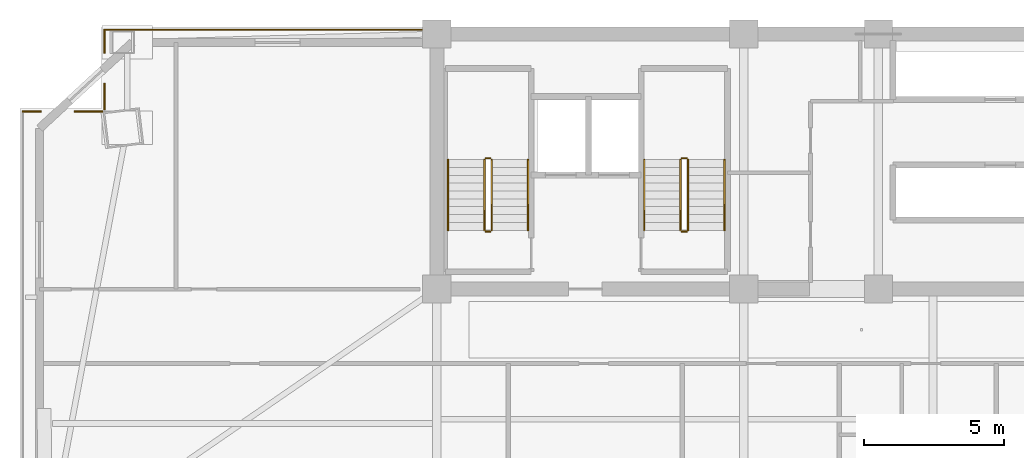
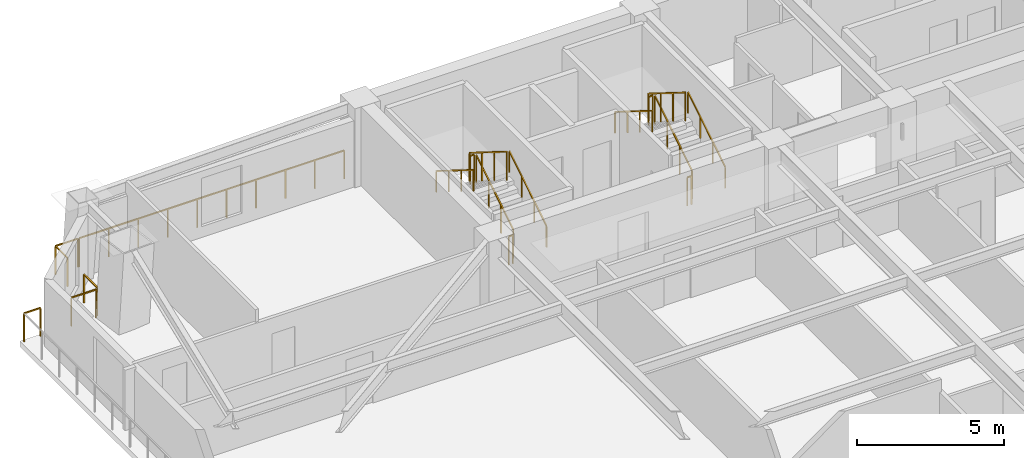
# One storey, part 15 of 16: 18 railings.
"""IFC4 building model written with IfcOpenShell, lengths in metres."""

from ifc_helpers import new_model, si_unit, direction, frame, origin, origin_2d, place, context, subcontext, project, spatial, rectangle, extrude, material, type_object, element, save


model = new_model("IFC4")

# Units and contexts
model_context = context("Model", 3, precision=1e-05, world=origin(), true_north=direction((0.0, 1.0)))
body_context = subcontext(model_context, "Body", "Model", "MODEL_VIEW")
ifc_project = project(units=[si_unit("LENGTHUNIT", "METRE"), si_unit("AREAUNIT", "SQUARE_METRE"), si_unit("VOLUMEUNIT", "CUBIC_METRE"), si_unit("PLANEANGLEUNIT", "RADIAN"), si_unit("MASSUNIT", "GRAM", prefix="KILO")], contexts=[model_context])

# Site, building, storey
site_placement = place(None, origin())
site = spatial("IfcSite", under=ifc_project, at=site_placement, CompositionType="ELEMENT")
building_placement = place(site_placement, origin())
building = spatial("IfcBuilding", under=site, at=building_placement, Name="Giltprow Tower", CompositionType="ELEMENT")
storey_placement = place(building_placement, frame((0.0, 0.0, 166.699951171875)))
storey = spatial("IfcBuildingStorey", under=building, at=storey_placement, Name="L41", CompositionType="ELEMENT", Elevation=166.699951171875)

# Railings
ifc_material = material(Name="Anodized bronze", Category="metal")
railing_type_1 = type_object("IfcRailingType", Name="RAIL-BALC-GUARD-1200", PredefinedType="BALUSTRADE", material=ifc_material)
railing_1_placement = place(storey_placement, frame((5.083984375, 43.787109375, 0.0)))
element("IfcRailing", 1, at=railing_1_placement, inside=storey, type_object=railing_type_1, Name="L41 Corner Apron Edge Balustrade 6", PredefinedType="BALUSTRADE", context=body_context, shape_type="SweptSolid", body=[
    extrude(rectangle(XDim=0.048095703125, YDim=0.048095703125, at=origin_2d()), frame((0.0, 0.0, 1.17578125), z_axis=(1.0, 0.0, 0.0), x_axis=(0.0, 1.0, 0.0)), (0.0, 0.0, 1.0), 0.64501953125),
    extrude(rectangle(XDim=0.0419921875, YDim=0.0419921875, at=origin_2d()), origin(), (0.0, 0.0, 1.0), 1.15185546875),
    extrude(rectangle(XDim=0.0419921875, YDim=0.0419921875, at=origin_2d()), frame((0.64501953125, 0.0, 0.0)), (0.0, 0.0, 1.0), 1.15185546875),
])
railing_2_placement = place(storey_placement, frame((6.93701171875, 43.787109375, 0.0)))
element("IfcRailing", 2, at=railing_2_placement, inside=storey, type_object=railing_type_1, Name="L41 Corner Apron Edge Balustrade 7", PredefinedType="BALUSTRADE", context=body_context, shape_type="SweptSolid", body=[
    extrude(rectangle(XDim=0.048095703125, YDim=0.048095703125, at=origin_2d()), frame((0.0, 0.0, 1.17578125), z_axis=(1.0, 0.0, 0.0), x_axis=(0.0, 1.0, 0.0)), (0.0, 0.0, 1.0), 0.97509765625),
    extrude(rectangle(XDim=0.0419921875, YDim=0.0419921875, at=origin_2d()), origin(), (0.0, 0.0, 1.0), 1.15185546875),
    extrude(rectangle(XDim=0.0419921875, YDim=0.0419921875, at=origin_2d()), frame((0.97509765625, 0.0, 0.0)), (0.0, 0.0, 1.0), 1.15185546875),
])
railing_3_placement = place(storey_placement, frame((7.9970703125, 43.8720703125, 0.0)))
element("IfcRailing", 3, at=railing_3_placement, inside=storey, type_object=railing_type_1, Name="L41 Corner Apron Edge Balustrade 8", PredefinedType="BALUSTRADE", context=body_context, shape_type="SweptSolid", body=[
    extrude(rectangle(XDim=0.048095703125, YDim=0.048095703125, at=origin_2d()), frame((0.0, 0.0, 1.17578125), z_axis=(0.0, 1.0, 0.0), x_axis=(-1.0, 0.0, 0.0)), (0.0, 0.0, 1.0), 0.89501953125),
    extrude(rectangle(XDim=0.0419921875, YDim=0.0419921875, at=origin_2d()), origin(), (0.0, 0.0, 1.0), 1.15185546875),
    extrude(rectangle(XDim=0.0419921875, YDim=0.0419921875, at=origin_2d()), frame((0.0, 0.89501953125, 0.0)), (0.0, 0.0, 1.0), 1.15185546875),
])
railing_4_placement = place(storey_placement, frame((7.9970703125, 45.884033203125, 0.0)))
element("IfcRailing", 4, at=railing_4_placement, inside=storey, type_object=railing_type_1, Name="L41 Corner Apron Edge Balustrade 9", PredefinedType="BALUSTRADE", context=body_context, shape_type="SweptSolid", body=[
    extrude(rectangle(XDim=0.048095703125, YDim=0.048095703125, at=origin_2d()), frame((0.0, 0.0, 1.17578125), z_axis=(0.0, 1.0, 0.0), x_axis=(-1.0, 0.0, 0.0)), (0.0, 0.0, 1.0), 0.81591796875),
    extrude(rectangle(XDim=0.0419921875, YDim=0.0419921875, at=origin_2d()), origin(), (0.0, 0.0, 1.0), 1.15185546875),
    extrude(rectangle(XDim=0.0419921875, YDim=0.0419921875, at=origin_2d()), frame((0.0, 0.81591796875, 0.0)), (0.0, 0.0, 1.0), 1.15185546875),
])
railing_5_placement = place(storey_placement, frame((7.9970703125, 46.699951171875, 0.0)))
element("IfcRailing", 5, at=railing_5_placement, inside=storey, type_object=railing_type_1, Name="L41 Corner Apron Edge Balustrade 10", PredefinedType="BALUSTRADE", context=body_context, shape_type="SweptSolid", body=[
    extrude(rectangle(XDim=0.048095703125, YDim=0.048095703125, at=origin_2d()), frame((0.0, 0.0, 1.17578125), z_axis=(1.0, 0.0, 0.0), x_axis=(0.0, 1.0, 0.0)), (0.0, 0.0, 1.0), 0.8828125),
    extrude(rectangle(XDim=0.0419921875, YDim=0.0419921875, at=origin_2d()), origin(), (0.0, 0.0, 1.0), 1.15185546875),
    extrude(rectangle(XDim=0.0419921875, YDim=0.0419921875, at=origin_2d()), frame((0.8828125, 0.0, 0.0)), (0.0, 0.0, 1.0), 1.15185546875),
])
railing_6_placement = place(storey_placement, frame((8.93505859375, 46.699951171875, 0.0)))
element("IfcRailing", 6, at=railing_6_placement, inside=storey, type_object=railing_type_1, Name="L41 Corner Apron Edge Balustrade 11", PredefinedType="BALUSTRADE", context=body_context, shape_type="SweptSolid", body=[
    extrude(rectangle(XDim=0.048095703125, YDim=0.048095703125, at=origin_2d()), frame((0.0, 0.0, 1.17578125), z_axis=(1.0, 0.0, 0.0), x_axis=(0.0, 1.0, 0.0)), (0.0, 0.0, 1.0), 10.3798828125),
    extrude(rectangle(XDim=0.0419921875, YDim=0.0419921875, at=origin_2d()), origin(), (0.0, 0.0, 1.0), 1.15185546875),
    extrude(rectangle(XDim=0.0419921875, YDim=0.0419921875, at=origin_2d()), frame((1.1533203125, 0.0, 0.0)), (0.0, 0.0, 1.0), 1.15185546875),
    extrude(rectangle(XDim=0.0419921875, YDim=0.0419921875, at=origin_2d()), frame((2.306640625, 0.0, 0.0)), (0.0, 0.0, 1.0), 1.15185546875),
    extrude(rectangle(XDim=0.0419921875, YDim=0.0419921875, at=origin_2d()), frame((3.4599609375, 0.0, 0.0)), (0.0, 0.0, 1.0), 1.15185546875),
    extrude(rectangle(XDim=0.0419921875, YDim=0.0419921875, at=origin_2d()), frame((4.61328125, 0.0, 0.0)), (0.0, 0.0, 1.0), 1.15185546875),
    extrude(rectangle(XDim=0.0419921875, YDim=0.0419921875, at=origin_2d()), frame((5.7666015625, 0.0, 0.0)), (0.0, 0.0, 1.0), 1.15185546875),
    extrude(rectangle(XDim=0.0419921875, YDim=0.0419921875, at=origin_2d()), frame((6.919921875, 0.0, 0.0)), (0.0, 0.0, 1.0), 1.15185546875),
    extrude(rectangle(XDim=0.0419921875, YDim=0.0419921875, at=origin_2d()), frame((8.0732421875, 0.0, 0.0)), (0.0, 0.0, 1.0), 1.15185546875),
    extrude(rectangle(XDim=0.0419921875, YDim=0.0419921875, at=origin_2d()), frame((9.2265625, 0.0, 0.0)), (0.0, 0.0, 1.0), 1.15185546875),
    extrude(rectangle(XDim=0.0419921875, YDim=0.0419921875, at=origin_2d()), frame((10.3798828125, 0.0, 0.0)), (0.0, 0.0, 1.0), 1.15185546875),
])
railing_type_2 = type_object("IfcRailingType", Name="RAIL-STAIR-GUARD-1200", PredefinedType="GUARDRAIL", material=ifc_material)
railing_7_placement = place(storey_placement, frame((21.81005859375, 39.550048828125, 0.175048828125)))
element("IfcRailing", 7, at=railing_7_placement, inside=storey, type_object=railing_type_2, Name="L41 ST-1 stair guard 1", PredefinedType="GUARDRAIL", context=body_context, shape_type="SweptSolid", body=[
    extrude(rectangle(XDim=0.048095703125, YDim=0.048095703125, at=origin_2d()), frame((0.0, 0.0, 1.17578125), z_axis=(0.0, 0.848007534815, 0.529984170421), x_axis=(-1.0, 0.0, 0.0)), (0.0, 0.0, 1.0), 2.9716796875),
    extrude(rectangle(XDim=0.0419921875, YDim=0.0419921875, at=origin_2d()), origin(), (0.0, 0.0, 1.0), 1.15185546875),
    extrude(rectangle(XDim=0.0419921875, YDim=0.0419921875, at=origin_2d()), frame((0.0, 0.840087890625, 0.52490234375)), (0.0, 0.0, 1.0), 1.15185546875),
    extrude(rectangle(XDim=0.0419921875, YDim=0.0419921875, at=origin_2d()), frame((0.0, 1.679931640625, 1.050048828125)), (0.0, 0.0, 1.0), 1.15185546875),
    extrude(rectangle(XDim=0.0419921875, YDim=0.0419921875, at=origin_2d()), frame((0.0, 2.52001953125, 1.574951171875)), (0.0, 0.0, 1.0), 1.15185546875),
])
railing_8_placement = place(storey_placement, frame((21.760009765625, 42.1201171875, 1.75)))
element("IfcRailing", 8, at=railing_8_placement, inside=storey, type_object=railing_type_2, Name="L41 ST-1 stair guard 2", PredefinedType="GUARDRAIL", context=body_context, shape_type="SweptSolid", body=[
    extrude(rectangle(XDim=0.048095703125, YDim=0.048095703125, at=origin_2d()), frame((0.0, 0.0, 1.17578125), z_axis=(-1.0, 0.0, 0.0), x_axis=(0.0, -1.0, 0.0)), (0.0, 0.0, 1.0), 0.159912109375),
    extrude(rectangle(XDim=0.0419921875, YDim=0.0419921875, at=origin_2d()), origin(), (0.0, 0.0, 1.0), 1.15185546875),
    extrude(rectangle(XDim=0.0419921875, YDim=0.0419921875, at=origin_2d()), frame((-0.159912109375, 0.0, 0.0)), (0.0, 0.0, 1.0), 1.15185546875),
])
railing_9_placement = place(storey_placement, frame((21.550048828125, 42.070068359375, 1.925048828125)))
element("IfcRailing", 9, at=railing_9_placement, inside=storey, type_object=railing_type_2, Name="L41 ST-1 stair guard 3", PredefinedType="GUARDRAIL", context=body_context, shape_type="SweptSolid", body=[
    extrude(rectangle(XDim=0.048095703125, YDim=0.048095703125, at=origin_2d()), frame((0.0, 0.0, 1.17578125), z_axis=(0.0, -0.848007534815, 0.529984170421), x_axis=(1.0, 0.0, 0.0)), (0.0, 0.0, 1.0), 2.9716796875),
    extrude(rectangle(XDim=0.0419921875, YDim=0.0419921875, at=origin_2d()), origin(), (0.0, 0.0, 1.0), 1.15185546875),
    extrude(rectangle(XDim=0.0419921875, YDim=0.0419921875, at=origin_2d()), frame((0.0, -0.840087890625, 0.52490234375)), (0.0, 0.0, 1.0), 1.15185546875),
    extrude(rectangle(XDim=0.0419921875, YDim=0.0419921875, at=origin_2d()), frame((0.0, -1.679931640625, 1.050048828125)), (0.0, 0.0, 1.0), 1.15185546875),
    extrude(rectangle(XDim=0.0419921875, YDim=0.0419921875, at=origin_2d()), frame((0.0, -2.52001953125, 1.574951171875)), (0.0, 0.0, 1.0), 1.15185546875),
])
railing_10_placement = place(storey_placement, frame((21.760009765625, 39.5, 0.0)))
element("IfcRailing", 10, at=railing_10_placement, inside=storey, type_object=railing_type_2, Name="L41 ST-1 stair guard 4", PredefinedType="GUARDRAIL", context=body_context, shape_type="SweptSolid", body=[
    extrude(rectangle(XDim=0.048095703125, YDim=0.048095703125, at=origin_2d()), frame((0.0, 0.0, 1.17578125), z_axis=(-1.0, 0.0, 0.0), x_axis=(0.0, -1.0, 0.0)), (0.0, 0.0, 1.0), 0.159912109375),
    extrude(rectangle(XDim=0.0419921875, YDim=0.0419921875, at=origin_2d()), origin(), (0.0, 0.0, 1.0), 1.15185546875),
    extrude(rectangle(XDim=0.0419921875, YDim=0.0419921875, at=origin_2d()), frame((-0.159912109375, 0.0, 0.0)), (0.0, 0.0, 1.0), 1.15185546875),
])
railing_11_placement = place(storey_placement, frame((28.81005859375, 39.550048828125, 0.175048828125)))
element("IfcRailing", 11, at=railing_11_placement, inside=storey, type_object=railing_type_2, Name="L41 ST-2 stair guard 1", PredefinedType="GUARDRAIL", context=body_context, shape_type="SweptSolid", body=[
    extrude(rectangle(XDim=0.048095703125, YDim=0.048095703125, at=origin_2d()), frame((0.0, 0.0, 1.17578125), z_axis=(0.0, 0.848007534815, 0.529984170421), x_axis=(-1.0, 0.0, 0.0)), (0.0, 0.0, 1.0), 2.9716796875),
    extrude(rectangle(XDim=0.0419921875, YDim=0.0419921875, at=origin_2d()), origin(), (0.0, 0.0, 1.0), 1.15185546875),
    extrude(rectangle(XDim=0.0419921875, YDim=0.0419921875, at=origin_2d()), frame((0.0, 0.840087890625, 0.52490234375)), (0.0, 0.0, 1.0), 1.15185546875),
    extrude(rectangle(XDim=0.0419921875, YDim=0.0419921875, at=origin_2d()), frame((0.0, 1.679931640625, 1.050048828125)), (0.0, 0.0, 1.0), 1.15185546875),
    extrude(rectangle(XDim=0.0419921875, YDim=0.0419921875, at=origin_2d()), frame((0.0, 2.52001953125, 1.574951171875)), (0.0, 0.0, 1.0), 1.15185546875),
])
railing_12_placement = place(storey_placement, frame((28.760009765625, 42.1201171875, 1.75)))
element("IfcRailing", 12, at=railing_12_placement, inside=storey, type_object=railing_type_2, Name="L41 ST-2 stair guard 2", PredefinedType="GUARDRAIL", context=body_context, shape_type="SweptSolid", body=[
    extrude(rectangle(XDim=0.048095703125, YDim=0.048095703125, at=origin_2d()), frame((0.0, 0.0, 1.17578125), z_axis=(-1.0, 0.0, 0.0), x_axis=(0.0, -1.0, 0.0)), (0.0, 0.0, 1.0), 0.159912109375),
    extrude(rectangle(XDim=0.0419921875, YDim=0.0419921875, at=origin_2d()), origin(), (0.0, 0.0, 1.0), 1.15185546875),
    extrude(rectangle(XDim=0.0419921875, YDim=0.0419921875, at=origin_2d()), frame((-0.159912109375, 0.0, 0.0)), (0.0, 0.0, 1.0), 1.15185546875),
])
railing_13_placement = place(storey_placement, frame((28.550048828125, 42.070068359375, 1.925048828125)))
element("IfcRailing", 13, at=railing_13_placement, inside=storey, type_object=railing_type_2, Name="L41 ST-2 stair guard 3", PredefinedType="GUARDRAIL", context=body_context, shape_type="SweptSolid", body=[
    extrude(rectangle(XDim=0.048095703125, YDim=0.048095703125, at=origin_2d()), frame((0.0, 0.0, 1.17578125), z_axis=(0.0, -0.848007534815, 0.529984170421), x_axis=(1.0, 0.0, 0.0)), (0.0, 0.0, 1.0), 2.9716796875),
    extrude(rectangle(XDim=0.0419921875, YDim=0.0419921875, at=origin_2d()), origin(), (0.0, 0.0, 1.0), 1.15185546875),
    extrude(rectangle(XDim=0.0419921875, YDim=0.0419921875, at=origin_2d()), frame((0.0, -0.840087890625, 0.52490234375)), (0.0, 0.0, 1.0), 1.15185546875),
    extrude(rectangle(XDim=0.0419921875, YDim=0.0419921875, at=origin_2d()), frame((0.0, -1.679931640625, 1.050048828125)), (0.0, 0.0, 1.0), 1.15185546875),
    extrude(rectangle(XDim=0.0419921875, YDim=0.0419921875, at=origin_2d()), frame((0.0, -2.52001953125, 1.574951171875)), (0.0, 0.0, 1.0), 1.15185546875),
])
railing_14_placement = place(storey_placement, frame((28.760009765625, 39.5, 0.0)))
element("IfcRailing", 14, at=railing_14_placement, inside=storey, type_object=railing_type_2, Name="L41 ST-2 stair guard 4", PredefinedType="GUARDRAIL", context=body_context, shape_type="SweptSolid", body=[
    extrude(rectangle(XDim=0.048095703125, YDim=0.048095703125, at=origin_2d()), frame((0.0, 0.0, 1.17578125), z_axis=(-1.0, 0.0, 0.0), x_axis=(0.0, -1.0, 0.0)), (0.0, 0.0, 1.0), 0.159912109375),
    extrude(rectangle(XDim=0.0419921875, YDim=0.0419921875, at=origin_2d()), origin(), (0.0, 0.0, 1.0), 1.15185546875),
    extrude(rectangle(XDim=0.0419921875, YDim=0.0419921875, at=origin_2d()), frame((-0.159912109375, 0.0, 0.0)), (0.0, 0.0, 1.0), 1.15185546875),
])
railing_type_3 = type_object("IfcRailingType", Name="RAIL-STAIR-HAND-900", PredefinedType="HANDRAIL", material=ifc_material)
railing_15_placement = place(storey_placement, frame((23.110107421875, 39.550048828125, 0.175048828125)))
element("IfcRailing", 15, at=railing_15_placement, inside=storey, type_object=railing_type_3, Name="L41 ST-1 stair handrail 1", PredefinedType="HANDRAIL", context=body_context, shape_type="SweptSolid", body=[
    extrude(rectangle(XDim=0.048095703125, YDim=0.048095703125, at=origin_2d()), frame((0.0, 0.0, 0.8759765625), z_axis=(0.0, 0.848007534815, 0.529984170421), x_axis=(-1.0, 0.0, 0.0)), (0.0, 0.0, 1.0), 2.9716796875),
    extrude(rectangle(XDim=0.0419921875, YDim=0.0419921875, at=origin_2d()), origin(), (0.0, 0.0, 1.0), 0.851806640625),
    extrude(rectangle(XDim=0.0419921875, YDim=0.0419921875, at=origin_2d()), frame((0.0, 0.840087890625, 0.52490234375)), (0.0, 0.0, 1.0), 0.851806640625),
    extrude(rectangle(XDim=0.0419921875, YDim=0.0419921875, at=origin_2d()), frame((0.0, 1.679931640625, 1.050048828125)), (0.0, 0.0, 1.0), 0.851806640625),
    extrude(rectangle(XDim=0.0419921875, YDim=0.0419921875, at=origin_2d()), frame((0.0, 2.52001953125, 1.574951171875)), (0.0, 0.0, 1.0), 0.851806640625),
])
railing_16_placement = place(storey_placement, frame((20.25, 42.070068359375, 1.925048828125)))
element("IfcRailing", 16, at=railing_16_placement, inside=storey, type_object=railing_type_3, Name="L41 ST-1 stair handrail 2", PredefinedType="HANDRAIL", context=body_context, shape_type="SweptSolid", body=[
    extrude(rectangle(XDim=0.048095703125, YDim=0.048095703125, at=origin_2d()), frame((0.0, 0.0, 0.8759765625), z_axis=(0.0, -0.848007534815, 0.529984170421), x_axis=(1.0, 0.0, 0.0)), (0.0, 0.0, 1.0), 2.9716796875),
    extrude(rectangle(XDim=0.0419921875, YDim=0.0419921875, at=origin_2d()), origin(), (0.0, 0.0, 1.0), 0.851806640625),
    extrude(rectangle(XDim=0.0419921875, YDim=0.0419921875, at=origin_2d()), frame((0.0, -0.840087890625, 0.52490234375)), (0.0, 0.0, 1.0), 0.851806640625),
    extrude(rectangle(XDim=0.0419921875, YDim=0.0419921875, at=origin_2d()), frame((0.0, -1.679931640625, 1.050048828125)), (0.0, 0.0, 1.0), 0.851806640625),
    extrude(rectangle(XDim=0.0419921875, YDim=0.0419921875, at=origin_2d()), frame((0.0, -2.52001953125, 1.574951171875)), (0.0, 0.0, 1.0), 0.851806640625),
])
railing_17_placement = place(storey_placement, frame((30.110107421875, 39.550048828125, 0.175048828125)))
element("IfcRailing", 17, at=railing_17_placement, inside=storey, type_object=railing_type_3, Name="L41 ST-2 stair handrail 1", PredefinedType="HANDRAIL", context=body_context, shape_type="SweptSolid", body=[
    extrude(rectangle(XDim=0.048095703125, YDim=0.048095703125, at=origin_2d()), frame((0.0, 0.0, 0.8759765625), z_axis=(0.0, 0.848007534815, 0.529984170421), x_axis=(-1.0, 0.0, 0.0)), (0.0, 0.0, 1.0), 2.9716796875),
    extrude(rectangle(XDim=0.0419921875, YDim=0.0419921875, at=origin_2d()), origin(), (0.0, 0.0, 1.0), 0.851806640625),
    extrude(rectangle(XDim=0.0419921875, YDim=0.0419921875, at=origin_2d()), frame((0.0, 0.840087890625, 0.52490234375)), (0.0, 0.0, 1.0), 0.851806640625),
    extrude(rectangle(XDim=0.0419921875, YDim=0.0419921875, at=origin_2d()), frame((0.0, 1.679931640625, 1.050048828125)), (0.0, 0.0, 1.0), 0.851806640625),
    extrude(rectangle(XDim=0.0419921875, YDim=0.0419921875, at=origin_2d()), frame((0.0, 2.52001953125, 1.574951171875)), (0.0, 0.0, 1.0), 0.851806640625),
])
railing_18_placement = place(storey_placement, frame((27.25, 42.070068359375, 1.925048828125)))
element("IfcRailing", 18, at=railing_18_placement, inside=storey, type_object=railing_type_3, Name="L41 ST-2 stair handrail 2", PredefinedType="HANDRAIL", context=body_context, shape_type="SweptSolid", body=[
    extrude(rectangle(XDim=0.048095703125, YDim=0.048095703125, at=origin_2d()), frame((0.0, 0.0, 0.8759765625), z_axis=(0.0, -0.848007534815, 0.529984170421), x_axis=(1.0, 0.0, 0.0)), (0.0, 0.0, 1.0), 2.9716796875),
    extrude(rectangle(XDim=0.0419921875, YDim=0.0419921875, at=origin_2d()), origin(), (0.0, 0.0, 1.0), 0.851806640625),
    extrude(rectangle(XDim=0.0419921875, YDim=0.0419921875, at=origin_2d()), frame((0.0, -0.840087890625, 0.52490234375)), (0.0, 0.0, 1.0), 0.851806640625),
    extrude(rectangle(XDim=0.0419921875, YDim=0.0419921875, at=origin_2d()), frame((0.0, -1.679931640625, 1.050048828125)), (0.0, 0.0, 1.0), 0.851806640625),
    extrude(rectangle(XDim=0.0419921875, YDim=0.0419921875, at=origin_2d()), frame((0.0, -2.52001953125, 1.574951171875)), (0.0, 0.0, 1.0), 0.851806640625),
])

save(model, "model.ifc")
